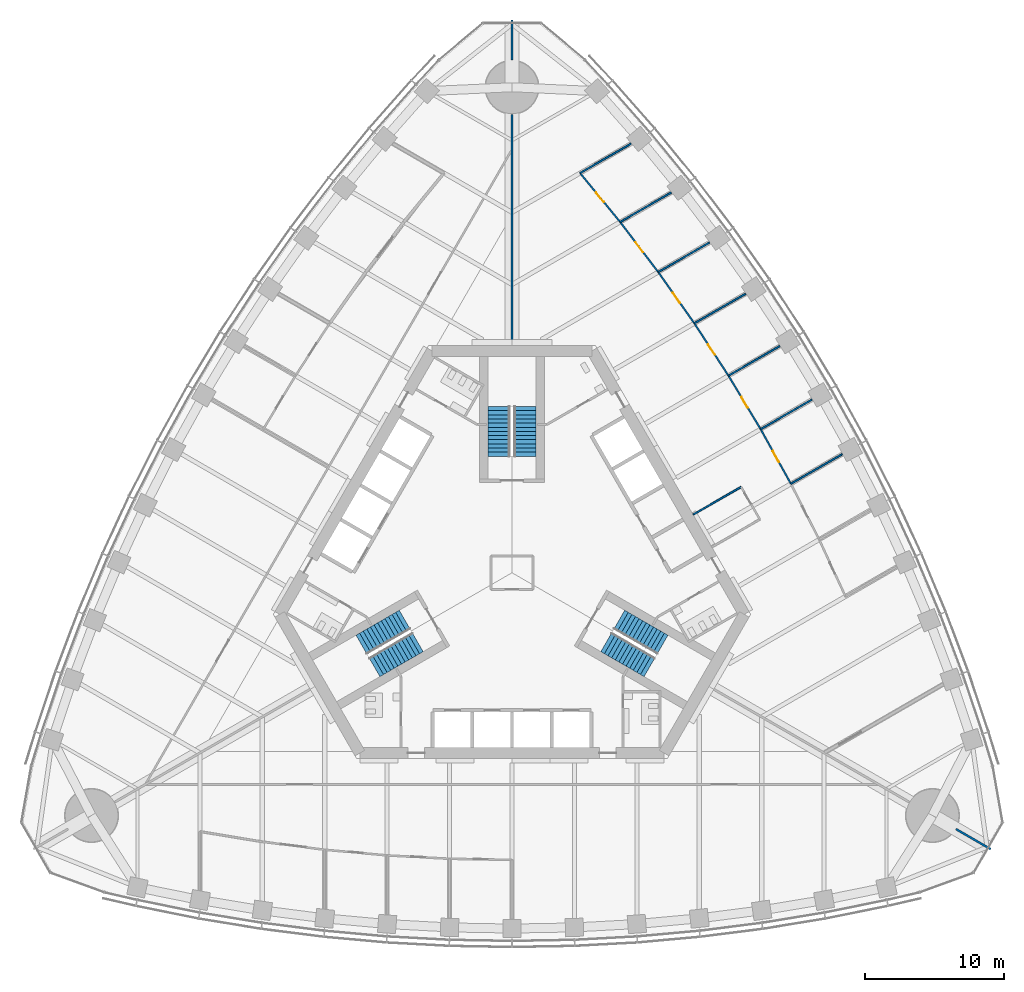
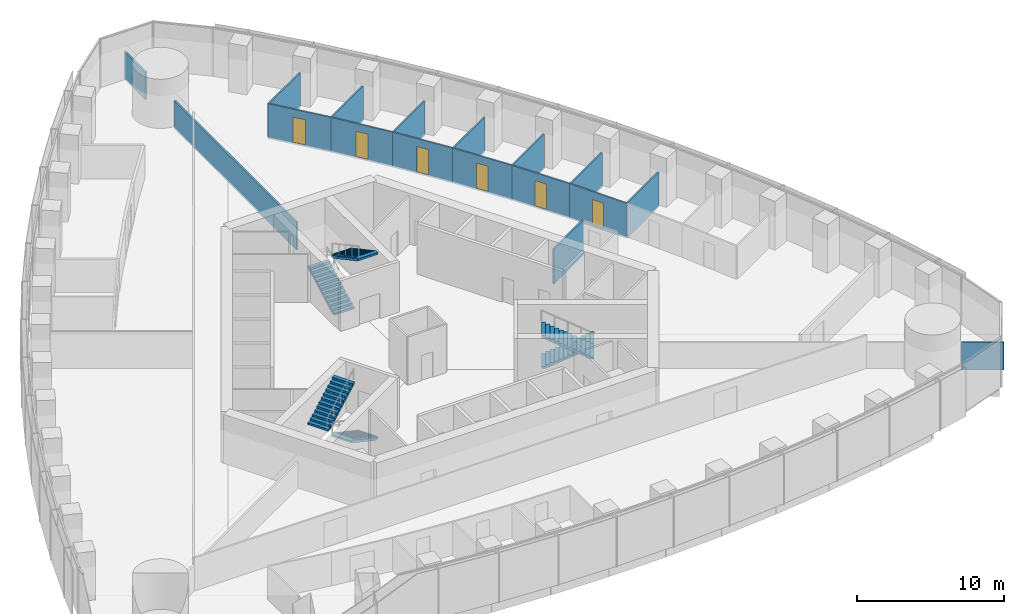
# One storey, part 14 of 19: 17 walls, 6 doors, 6 stair flights, 6 openings, 3 elements without a shape of their own.
"""IFC4 building model written with IfcOpenShell, lengths in metres."""

from ifc_helpers import new_model, si_unit, direction, frame, frame_2d, origin, place, context, subcontext, project, spatial, polyline, rectangle, outline, extrude, material, layer, layer_set, type_object, element, fill, aggregate, save


model = new_model("IFC4")

# Units and contexts
model_context = context("Model", 3, precision=1e-05, world=origin(), true_north=direction((0.0, 1.0)))
body_context = subcontext(model_context, "Body", "Model", "MODEL_VIEW")
ifc_project = project(units=[si_unit("LENGTHUNIT", "METRE"), si_unit("AREAUNIT", "SQUARE_METRE"), si_unit("VOLUMEUNIT", "CUBIC_METRE"), si_unit("PLANEANGLEUNIT", "RADIAN"), si_unit("MASSUNIT", "GRAM", prefix="KILO")], contexts=[model_context])

# Site, building, storey
site_placement = place(None, origin())
site = spatial("IfcSite", under=ifc_project, at=site_placement, CompositionType="ELEMENT")
building_placement = place(site_placement, origin())
building = spatial("IfcBuilding", under=site, at=building_placement, Name="Trefoil Bronze Tower", CompositionType="ELEMENT")
storey_placement = place(building_placement, frame((0.0, 0.0, 136.699951171875)))
storey = spatial("IfcBuildingStorey", under=building, at=storey_placement, Name="L31", CompositionType="ELEMENT", Elevation=136.699951171875)

# Wall
ifc_material_1 = material(Name="Glazed partition", Category="glass")
ifc_layer_1 = layer(ifc_material_1, 0.1201171875)
ifc_layer_set_1 = layer_set([ifc_layer_1], Name="Glazed partition 120")
wall_type_1 = type_object("IfcWallType", Name="Glazed partition 120", PredefinedType="PARTITIONING", material=ifc_layer_set_1)
wall_1_placement = place(storey_placement, frame((13.0546875, 4.1884765625, 0.0), z_axis=(0.0, 0.0, 1.0), x_axis=(0.866026010844, 0.49999894854, 0.0)))
element("IfcWall", 1, at=wall_1_placement, inside=storey, type_object=wall_type_1, Name="Partition F2 L31", PredefinedType="PARTITIONING", context=body_context, shape_type="SweptSolid", body=[
    extrude(rectangle(XDim=4.0, YDim=0.1201171875, at=frame_2d((2.0, 0.0))), origin(), (0.0, 0.0, 1.0), 2.900146484375),
])

# Wall, opening, door
wall_2_placement = place(storey_placement, frame((17.926513671875, 10.349853515625, 0.0), z_axis=(0.0, 0.0, 1.0), x_axis=(-0.515548366618, 0.856860479703, 0.0)))
wall_2 = element("IfcWall", 2, at=wall_2_placement, inside=storey, type_object=wall_type_1, Name="Partition F2 L31", PredefinedType="PARTITIONING", context=body_context, shape_type="SweptSolid", body=[
    extrude(rectangle(XDim=4.500732421875, YDim=0.1201171875, at=frame_2d((2.25048828125, 0.0))), origin(), (0.0, 0.0, 1.0), 2.900146484375),
])
opening_1_placement = place(wall_2_placement, frame((1.800048828125, 0.0, 0.14990234375)))
opening_1 = element("IfcOpeningElement", 3, at=opening_1_placement, cuts=wall_2, Name="Opening D8", PredefinedType="OPENING", context=body_context, shape_type="SweptSolid", body=[
    extrude(rectangle(XDim=0.89990234375, YDim=2.10009765625, at=frame_2d((0.449951171875, 1.050048828125))), frame((0.0, 0.070068359375, 0.0), z_axis=(0.0, -1.0, 0.0), x_axis=(1.0, 0.0, 0.0)), (0.0, 0.0, 1.0), 0.14013671875),
])
ifc_material_2 = material(Name="Timber door", Category="wood")
door_type = type_object("IfcDoorType", Name="Office door 900", OperationType="SINGLE_SWING_LEFT", PredefinedType="DOOR", material=ifc_material_2)
door_1_placement = place(opening_1_placement, frame((0.89990234375, 0.0, 0.0), z_axis=(0.0, 0.0, 1.0), x_axis=(-1.0, 0.0, 0.0)))
door_1 = element("IfcDoor", 4, at=door_1_placement, inside=storey, type_object=door_type, Name="Office door F2 L31", OperationType="SINGLE_SWING_RIGHT", OverallHeight=2.10009765625, OverallWidth=0.89990234375, PredefinedType="DOOR", context=body_context, shape_type="SweptSolid", body=[
    extrude(rectangle(XDim=0.89990234375, YDim=2.10009765625, at=frame_2d((0.449951171875, 1.050048828125))), frame((0.0, 0.02490234375, 0.0), z_axis=(0.0, -1.0, 0.0), x_axis=(1.0, 0.0, 0.0)), (0.0, 0.0, 1.0), 0.050048828125),
])
fill(opening_1, door_1)

wall_3_placement = place(storey_placement, frame((10.542724609375, 21.67529296875, 0.0), z_axis=(0.0, 0.0, 1.0), x_axis=(-0.605274299339, 0.796016973789, 0.0)))
wall_3 = element("IfcWall", 5, at=wall_3_placement, inside=storey, type_object=wall_type_1, Name="Partition F2 L31", PredefinedType="PARTITIONING", context=body_context, shape_type="SweptSolid", body=[
    extrude(rectangle(XDim=4.5361328125, YDim=0.1201171875, at=frame_2d((2.26806640625, 0.0))), origin(), (0.0, 0.0, 1.0), 2.900146484375),
])
opening_2_placement = place(wall_3_placement, frame((1.800048828125, 0.0, 0.14990234375)))
opening_2 = element("IfcOpeningElement", 6, at=opening_2_placement, cuts=wall_3, Name="Opening D8", PredefinedType="OPENING", context=body_context, shape_type="SweptSolid", body=[
    extrude(rectangle(XDim=0.89990234375, YDim=2.10009765625, at=frame_2d((0.449951171875, 1.050048828125))), frame((0.0, 0.070068359375, 0.0), z_axis=(0.0, -1.0, 0.0), x_axis=(1.0, 0.0, 0.0)), (0.0, 0.0, 1.0), 0.14013671875),
])
door_2_placement = place(opening_2_placement, frame((0.89990234375, 0.0, 0.0), z_axis=(0.0, 0.0, 1.0), x_axis=(-1.0, 0.0, 0.0)))
door_2 = element("IfcDoor", 7, at=door_2_placement, inside=storey, type_object=door_type, Name="Office door F2 L31", OperationType="SINGLE_SWING_RIGHT", OverallHeight=2.10009765625, OverallWidth=0.89990234375, PredefinedType="DOOR", context=body_context, shape_type="SweptSolid", body=[
    extrude(rectangle(XDim=0.89990234375, YDim=2.10009765625, at=frame_2d((0.449951171875, 1.050048828125))), frame((0.0, 0.02490234375, 0.0), z_axis=(0.0, -1.0, 0.0), x_axis=(1.0, 0.0, 0.0)), (0.0, 0.0, 1.0), 0.050048828125),
])
fill(opening_2, door_2)

wall_4_placement = place(storey_placement, frame((7.797119140625, 25.2861328125, 0.0), z_axis=(0.0, 0.0, 1.0), x_axis=(-0.633843962561, 0.773460943503, 0.0)))
wall_4 = element("IfcWall", 8, at=wall_4_placement, inside=storey, type_object=wall_type_1, Name="Partition F2 L31", PredefinedType="PARTITIONING", context=body_context, shape_type="SweptSolid", body=[
    extrude(rectangle(XDim=4.560546875, YDim=0.1201171875, at=frame_2d((2.2802734375, 0.0))), origin(), (0.0, 0.0, 1.0), 2.900146484375),
])
opening_3_placement = place(wall_4_placement, frame((1.85009765625, 0.0, 0.14990234375)))
opening_3 = element("IfcOpeningElement", 9, at=opening_3_placement, cuts=wall_4, Name="Opening D8", PredefinedType="OPENING", context=body_context, shape_type="SweptSolid", body=[
    extrude(rectangle(XDim=0.89990234375, YDim=2.10009765625, at=frame_2d((0.449951171875, 1.050048828125))), frame((0.0, 0.070068359375, 0.0), z_axis=(0.0, -1.0, 0.0), x_axis=(1.0, 0.0, 0.0)), (0.0, 0.0, 1.0), 0.14013671875),
])
door_3_placement = place(opening_3_placement, frame((0.89990234375, 0.0, 0.0), z_axis=(0.0, 0.0, 1.0), x_axis=(-1.0, 0.0, 0.0)))
door_3 = element("IfcDoor", 10, at=door_3_placement, inside=storey, type_object=door_type, Name="Office door F2 L31", OperationType="SINGLE_SWING_LEFT", OverallHeight=2.10009765625, OverallWidth=0.89990234375, PredefinedType="DOOR", context=body_context, shape_type="SweptSolid", body=[
    extrude(rectangle(XDim=0.89990234375, YDim=2.10009765625, at=frame_2d((0.449951171875, 1.050048828125))), frame((0.0, 0.02490234375, 0.0), z_axis=(0.0, -1.0, 0.0), x_axis=(1.0, 0.0, 0.0)), (0.0, 0.0, 1.0), 0.050048828125),
])
fill(opening_3, door_3)

wall_5_placement = place(storey_placement, frame((15.606201171875, 14.206298828125, 0.0), z_axis=(0.0, 0.0, 1.0), x_axis=(-0.546069464151, 0.837739900161, 0.0)))
wall_5 = element("IfcWall", 11, at=wall_5_placement, inside=storey, type_object=wall_type_1, Name="Partition F2 L31", PredefinedType="PARTITIONING", context=body_context, shape_type="SweptSolid", body=[
    extrude(rectangle(XDim=4.506591796875, YDim=0.1201171875, at=frame_2d((2.25341796875, 0.0))), origin(), (0.0, 0.0, 1.0), 2.900146484375),
])
opening_4_placement = place(wall_5_placement, frame((1.800048828125, 0.0, 0.14990234375)))
opening_4 = element("IfcOpeningElement", 12, at=opening_4_placement, cuts=wall_5, Name="Opening D8", PredefinedType="OPENING", context=body_context, shape_type="SweptSolid", body=[
    extrude(rectangle(XDim=0.89990234375, YDim=2.10009765625, at=frame_2d((0.449951171875, 1.050048828125))), frame((0.0, 0.070068359375, 0.0), z_axis=(0.0, -1.0, 0.0), x_axis=(1.0, 0.0, 0.0)), (0.0, 0.0, 1.0), 0.14013671875),
])
door_4_placement = place(opening_4_placement, frame((0.89990234375, 0.0, 0.0), z_axis=(0.0, 0.0, 1.0), x_axis=(-1.0, 0.0, 0.0)))
door_4 = element("IfcDoor", 13, at=door_4_placement, inside=storey, type_object=door_type, Name="Office door F2 L31", OperationType="SINGLE_SWING_RIGHT", OverallHeight=2.10009765625, OverallWidth=0.89990234375, PredefinedType="DOOR", context=body_context, shape_type="SweptSolid", body=[
    extrude(rectangle(XDim=0.89990234375, YDim=2.10009765625, at=frame_2d((0.449951171875, 1.050048828125))), frame((0.0, 0.02490234375, 0.0), z_axis=(0.0, -1.0, 0.0), x_axis=(1.0, 0.0, 0.0)), (0.0, 0.0, 1.0), 0.050048828125),
])
fill(opening_4, door_4)

wall_6_placement = place(storey_placement, frame((13.145263671875, 17.981689453125, 0.0), z_axis=(0.0, 0.0, 1.0), x_axis=(-0.575987178736, 0.817458726745, 0.0)))
wall_6 = element("IfcWall", 14, at=wall_6_placement, inside=storey, type_object=wall_type_1, Name="Partition F2 L31", PredefinedType="PARTITIONING", context=body_context, shape_type="SweptSolid", body=[
    extrude(rectangle(XDim=4.518310546875, YDim=0.1201171875, at=frame_2d((2.25927734375, 0.0))), origin(), (0.0, 0.0, 1.0), 2.900146484375),
])
opening_5_placement = place(wall_6_placement, frame((1.800048828125, 0.0, 0.14990234375)))
opening_5 = element("IfcOpeningElement", 15, at=opening_5_placement, cuts=wall_6, Name="Opening D8", PredefinedType="OPENING", context=body_context, shape_type="SweptSolid", body=[
    extrude(rectangle(XDim=0.89990234375, YDim=2.10009765625, at=frame_2d((0.449951171875, 1.050048828125))), frame((0.0, 0.070068359375, 0.0), z_axis=(0.0, -1.0, 0.0), x_axis=(1.0, 0.0, 0.0)), (0.0, 0.0, 1.0), 0.14013671875),
])
door_5_placement = place(opening_5_placement, frame((0.89990234375, 0.0, 0.0), z_axis=(0.0, 0.0, 1.0), x_axis=(-1.0, 0.0, 0.0)))
door_5 = element("IfcDoor", 16, at=door_5_placement, inside=storey, type_object=door_type, Name="Office door F2 L31", OperationType="SINGLE_SWING_RIGHT", OverallHeight=2.10009765625, OverallWidth=0.89990234375, PredefinedType="DOOR", context=body_context, shape_type="SweptSolid", body=[
    extrude(rectangle(XDim=0.89990234375, YDim=2.10009765625, at=frame_2d((0.449951171875, 1.050048828125))), frame((0.0, 0.02490234375, 0.0), z_axis=(0.0, -1.0, 0.0), x_axis=(1.0, 0.0, 0.0)), (0.0, 0.0, 1.0), 0.050048828125),
])
fill(opening_5, door_5)

wall_7_placement = place(storey_placement, frame((20.106201171875, 6.412109375, 0.0), z_axis=(0.0, 0.0, 1.0), x_axis=(-0.484292898211, 0.874905931368, 0.0)))
wall_7 = element("IfcWall", 17, at=wall_7_placement, inside=storey, type_object=wall_type_1, Name="Partition F2 L31", PredefinedType="PARTITIONING", context=body_context, shape_type="SweptSolid", body=[
    extrude(rectangle(XDim=4.500732421875, YDim=0.1201171875, at=frame_2d((2.25048828125, 0.0))), origin(), (0.0, 0.0, 1.0), 2.900146484375),
])
opening_6_placement = place(wall_7_placement, frame((1.800048828125, 0.0, 0.14990234375)))
opening_6 = element("IfcOpeningElement", 18, at=opening_6_placement, cuts=wall_7, Name="Opening D8", PredefinedType="OPENING", context=body_context, shape_type="SweptSolid", body=[
    extrude(rectangle(XDim=0.89990234375, YDim=2.10009765625, at=frame_2d((0.449951171875, 1.050048828125))), frame((0.0, 0.070068359375, 0.0), z_axis=(0.0, -1.0, 0.0), x_axis=(1.0, 0.0, 0.0)), (0.0, 0.0, 1.0), 0.14013671875),
])
door_6_placement = place(opening_6_placement, frame((0.89990234375, 0.0, 0.0), z_axis=(0.0, 0.0, 1.0), x_axis=(-1.0, 0.0, 0.0)))
door_6 = element("IfcDoor", 19, at=door_6_placement, inside=storey, type_object=door_type, Name="Office door F2 L31", OperationType="SINGLE_SWING_RIGHT", OverallHeight=2.10009765625, OverallWidth=0.89990234375, PredefinedType="DOOR", context=body_context, shape_type="SweptSolid", body=[
    extrude(rectangle(XDim=0.89990234375, YDim=2.10009765625, at=frame_2d((0.449951171875, 1.050048828125))), frame((0.0, 0.02490234375, 0.0), z_axis=(0.0, -1.0, 0.0), x_axis=(1.0, 0.0, 0.0)), (0.0, 0.0, 1.0), 0.050048828125),
])
fill(opening_6, door_6)

# Walls
wall_8_placement = place(storey_placement, frame((17.926513671875, 10.349853515625, 0.0), z_axis=(0.0, 0.0, 1.0), x_axis=(0.866014192265, 0.500019418418, 0.0)))
element("IfcWall", 20, at=wall_8_placement, inside=storey, type_object=wall_type_1, Name="Partition F2 L31", PredefinedType="PARTITIONING", context=body_context, shape_type="SweptSolid", body=[
    extrude(rectangle(XDim=4.269775390625, YDim=0.1201171875, at=frame_2d((2.134765625, 0.0))), origin(), (0.0, 0.0, 1.0), 2.900146484375),
])
wall_9_placement = place(storey_placement, frame((10.542724609375, 21.67529296875, 0.0), z_axis=(0.0, 0.0, 1.0), x_axis=(0.866031027007, 0.499990260167, 0.0)))
element("IfcWall", 21, at=wall_9_placement, inside=storey, type_object=wall_type_1, Name="Partition F2 L31", PredefinedType="PARTITIONING", context=body_context, shape_type="SweptSolid", body=[
    extrude(rectangle(XDim=4.26123046875, YDim=0.1201171875, at=frame_2d((2.130615234375, 0.0))), origin(), (0.0, 0.0, 1.0), 2.900146484375),
])
wall_10_placement = place(storey_placement, frame((7.797119140625, 25.2861328125, 0.0), z_axis=(0.0, 0.0, 1.0), x_axis=(0.865995408045, 0.500051950547, 0.0)))
element("IfcWall", 22, at=wall_10_placement, inside=storey, type_object=wall_type_1, Name="Partition F2 L31", PredefinedType="PARTITIONING", context=body_context, shape_type="SweptSolid", body=[
    extrude(rectangle(XDim=4.25439453125, YDim=0.1201171875, at=frame_2d((2.127197265625, 0.0))), origin(), (0.0, 0.0, 1.0), 2.900146484375),
])
wall_11_placement = place(storey_placement, frame((4.906494140625, 28.8134765625, 0.0), z_axis=(0.0, 0.0, 1.0), x_axis=(0.866022790583, 0.50000452617, 0.0)))
element("IfcWall", 23, at=wall_11_placement, inside=storey, type_object=wall_type_1, Name="Partition F2 L31", PredefinedType="PARTITIONING", context=body_context, shape_type="SweptSolid", body=[
    extrude(rectangle(XDim=4.24560546875, YDim=0.1201171875, at=frame_2d((2.122802734375, 0.0))), origin(), (0.0, 0.0, 1.0), 2.900146484375),
])
wall_12_placement = place(storey_placement, frame((15.606201171875, 14.206298828125, 0.0), z_axis=(0.0, 0.0, 1.0), x_axis=(0.866020825576, 0.500007929605, 0.0)))
element("IfcWall", 24, at=wall_12_placement, inside=storey, type_object=wall_type_1, Name="Partition F2 L31", PredefinedType="PARTITIONING", context=body_context, shape_type="SweptSolid", body=[
    extrude(rectangle(XDim=4.26904296875, YDim=0.1201171875, at=frame_2d((2.134521484375, 0.0))), origin(), (0.0, 0.0, 1.0), 2.900146484375),
])
wall_13_placement = place(storey_placement, frame((13.145263671875, 17.981689453125, 0.0), z_axis=(0.0, 0.0, 1.0), x_axis=(0.86602643523, 0.49999821348, 0.0)))
element("IfcWall", 25, at=wall_13_placement, inside=storey, type_object=wall_type_1, Name="Partition F2 L31", PredefinedType="PARTITIONING", context=body_context, shape_type="SweptSolid", body=[
    extrude(rectangle(XDim=4.26611328125, YDim=0.1201171875, at=frame_2d((2.133056640625, 0.0))), origin(), (0.0, 0.0, 1.0), 2.900146484375),
])
wall_14_placement = place(storey_placement, frame((20.106201171875, 6.412109375, 0.0), z_axis=(0.0, 0.0, 1.0), x_axis=(0.866020825576, 0.500007929605, 0.0)))
element("IfcWall", 26, at=wall_14_placement, inside=storey, type_object=wall_type_1, Name="Partition F2 L31", PredefinedType="PARTITIONING", context=body_context, shape_type="SweptSolid", body=[
    extrude(rectangle(XDim=4.26904296875, YDim=0.1201171875, at=frame_2d((2.134521484375, 0.0))), origin(), (0.0, 0.0, 1.0), 2.900146484375),
])
ifc_material_3 = material(Name="Gypsum board on steel studs", Category="steel")
ifc_layer_2 = layer(ifc_material_3, 0.14990234375)
ifc_layer_set_2 = layer_set([ifc_layer_2], Name="Party wall 150")
wall_type_2 = type_object("IfcWallType", Name="Party wall 150", PredefinedType="PARTITIONING", material=ifc_layer_set_2)
wall_15_placement = place(storey_placement, frame((31.999755859375, -18.47509765625, 0.0), z_axis=(0.0, 0.0, 1.0), x_axis=(0.866042548026, -0.499970304126, 0.0)))
element("IfcWall", 27, at=wall_15_placement, inside=storey, type_object=wall_type_2, Name="Party wall K1 L31", PredefinedType="PARTITIONING", context=body_context, shape_type="SweptSolid", body=[
    extrude(rectangle(XDim=2.899169921875, YDim=0.14990234375, at=frame_2d((1.44970703125, 0.0))), origin(), (0.0, 0.0, 1.0), 2.300048828125),
])
wall_16_placement = place(storey_placement, frame((0.0, 16.39990234375, 0.0), z_axis=(0.0, 0.0, 1.0), x_axis=(0.0, 1.0, 0.0)))
element("IfcWall", 28, at=wall_16_placement, inside=storey, type_object=wall_type_2, Name="Party wall K2 L31", PredefinedType="PARTITIONING", context=body_context, shape_type="SweptSolid", body=[
    extrude(rectangle(XDim=16.650146484375, YDim=0.14990234375, at=frame_2d((8.3251953125, 0.0))), origin(), (0.0, 0.0, 1.0), 2.300048828125),
])
wall_17_placement = place(storey_placement, frame((0.0, 36.949951171875, 0.0), z_axis=(0.0, 0.0, 1.0), x_axis=(0.0, 1.0, 0.0)))
element("IfcWall", 29, at=wall_17_placement, inside=storey, type_object=wall_type_2, Name="Party wall K2 L31", PredefinedType="PARTITIONING", context=body_context, shape_type="SweptSolid", body=[
    extrude(rectangle(XDim=2.8994140625, YDim=0.14990234375, at=frame_2d((1.44970703125, 0.0))), origin(), (0.0, 0.0, 1.0), 2.300048828125),
])

# Stair, stair flights
ifc_material_4 = material(Name="Precast concrete B80", Category="concrete")
stair_type = type_object("IfcStairType", Name="Exit stair 26 risers", PredefinedType="HALF_TURN_STAIR", material=ifc_material_4)
stair_1_placement = place(storey_placement, origin())
stair_1 = element("IfcStair", 30, at=stair_1_placement, inside=storey, type_object=stair_type, Name="Stair ST1 L31", PredefinedType="HALF_TURN_STAIR")
ifc_material_5 = material(Name="Precast concrete B80", Category="concrete")
stair_flight_type = type_object("IfcStairFlightType", Name="Stair flight 1600", PredefinedType="STRAIGHT", material=ifc_material_5)
stair_flight_1_placement = place(storey_placement, frame((7.728515625, -3.39404296875, 0.0), z_axis=(0.0, 0.0, 1.0), x_axis=(0.866025403784, -0.5, 0.0)))
stair_flight_1 = element("IfcStairFlight", 31, at=stair_flight_1_placement, type_object=stair_flight_type, Name="ST1 flight 1", NumberOfRisers=13, NumberOfTreads=12, PredefinedType="STRAIGHT", RiserHeight=0.161538462, TreadLength=0.3, context=body_context, shape_type="SweptSolid", body=[
    extrude(outline(polyline([(0.0, 0.0), (0.0, 0.16162109375), (0.300048828125, 0.16162109375), (0.300048828125, 0.322998046875), (0.60009765625, 0.322998046875), (0.60009765625, 0.484619140625), (0.89990234375, 0.484619140625), (0.89990234375, 0.646240234375), (1.199951171875, 0.646240234375), (1.199951171875, 0.8076171875), (1.5, 0.8076171875), (1.5, 0.96923828125), (1.800048828125, 0.96923828125), (1.800048828125, 1.130859375), (2.10009765625, 1.130859375), (2.10009765625, 1.292236328125), (2.39990234375, 1.292236328125), (2.39990234375, 1.453857421875), (2.699951171875, 1.453857421875), (2.699951171875, 1.615478515625), (3.0, 1.615478515625), (3.0, 1.77685546875), (3.300048828125, 1.77685546875), (3.300048828125, 1.9384765625), (3.60009765625, 1.9384765625), (3.60009765625, 2.10009765625), (3.60009765625, 1.768310546875), (0.316162109375, 0.0), (0.0, 0.0)])), frame((0.0, 0.800048828125, 0.0), z_axis=(0.0, -1.0, 0.0), x_axis=(1.0, 0.0, 0.0)), (0.0, 0.0, 1.0), 1.60009765625),
])
stair_flight_2_placement = place(storey_placement, frame((9.921142578125, -6.796142578125, 2.10009765625), z_axis=(0.0, 0.0, 1.0), x_axis=(-0.866025403784, 0.5, 0.0)))
stair_flight_2 = element("IfcStairFlight", 32, at=stair_flight_2_placement, type_object=stair_flight_type, Name="ST1 flight 2", NumberOfRisers=13, NumberOfTreads=12, PredefinedType="STRAIGHT", RiserHeight=0.161538462, TreadLength=0.3, context=body_context, shape_type="SweptSolid", body=[
    extrude(outline(polyline([(0.0, 0.0), (0.0, 0.16162109375), (0.300048828125, 0.16162109375), (0.300048828125, 0.322998046875), (0.60009765625, 0.322998046875), (0.60009765625, 0.484619140625), (0.89990234375, 0.484619140625), (0.89990234375, 0.646240234375), (1.199951171875, 0.646240234375), (1.199951171875, 0.8076171875), (1.5, 0.8076171875), (1.5, 0.96923828125), (1.800048828125, 0.96923828125), (1.800048828125, 1.130859375), (2.10009765625, 1.130859375), (2.10009765625, 1.292236328125), (2.39990234375, 1.292236328125), (2.39990234375, 1.453857421875), (2.699951171875, 1.453857421875), (2.699951171875, 1.615478515625), (3.0, 1.615478515625), (3.0, 1.77685546875), (3.300048828125, 1.77685546875), (3.300048828125, 1.9384765625), (3.60009765625, 1.9384765625), (3.60009765625, 2.10009765625), (3.60009765625, 1.768310546875), (0.316162109375, 0.0), (0.0, 0.0)])), frame((0.0, 0.800048828125, 0.0), z_axis=(0.0, -1.0, 0.0), x_axis=(1.0, 0.0, 0.0)), (0.0, 0.0, 1.0), 1.60009765625),
])
aggregate(stair_1, [stair_flight_1, stair_flight_2])

stair_2_placement = place(storey_placement, origin())
stair_2 = element("IfcStair", 33, at=stair_2_placement, inside=storey, type_object=stair_type, Name="Stair ST2 L31", PredefinedType="HALF_TURN_STAIR")
stair_flight_3_placement = place(storey_placement, frame((-0.925048828125, 8.389892578125, 0.0), z_axis=(0.0, 0.0, 1.0), x_axis=(0.0, 1.0, 0.0)))
stair_flight_3 = element("IfcStairFlight", 34, at=stair_flight_3_placement, type_object=stair_flight_type, Name="ST2 flight 1", NumberOfRisers=13, NumberOfTreads=12, PredefinedType="STRAIGHT", RiserHeight=0.161538462, TreadLength=0.3, context=body_context, shape_type="SweptSolid", body=[
    extrude(outline(polyline([(0.0, 0.0), (0.0, 0.16162109375), (0.300048828125, 0.16162109375), (0.300048828125, 0.322998046875), (0.60009765625, 0.322998046875), (0.60009765625, 0.484619140625), (0.89990234375, 0.484619140625), (0.89990234375, 0.646240234375), (1.199951171875, 0.646240234375), (1.199951171875, 0.8076171875), (1.5, 0.8076171875), (1.5, 0.96923828125), (1.800048828125, 0.96923828125), (1.800048828125, 1.130859375), (2.10009765625, 1.130859375), (2.10009765625, 1.292236328125), (2.39990234375, 1.292236328125), (2.39990234375, 1.453857421875), (2.699951171875, 1.453857421875), (2.699951171875, 1.615478515625), (3.0, 1.615478515625), (3.0, 1.77685546875), (3.300048828125, 1.77685546875), (3.300048828125, 1.9384765625), (3.60009765625, 1.9384765625), (3.60009765625, 2.10009765625), (3.60009765625, 1.768310546875), (0.316162109375, 0.0), (0.0, 0.0)])), frame((0.0, 0.800048828125, 0.0), z_axis=(0.0, -1.0, 0.0), x_axis=(1.0, 0.0, 0.0)), (0.0, 0.0, 1.0), 1.60009765625),
])
stair_flight_4_placement = place(storey_placement, frame((0.925048828125, 11.989990234375, 2.10009765625), z_axis=(0.0, 0.0, 1.0), x_axis=(0.0, -1.0, 0.0)))
stair_flight_4 = element("IfcStairFlight", 35, at=stair_flight_4_placement, type_object=stair_flight_type, Name="ST2 flight 2", NumberOfRisers=13, NumberOfTreads=12, PredefinedType="STRAIGHT", RiserHeight=0.161538462, TreadLength=0.3, context=body_context, shape_type="SweptSolid", body=[
    extrude(outline(polyline([(0.0, 0.0), (0.0, 0.16162109375), (0.300048828125, 0.16162109375), (0.300048828125, 0.322998046875), (0.60009765625, 0.322998046875), (0.60009765625, 0.484619140625), (0.89990234375, 0.484619140625), (0.89990234375, 0.646240234375), (1.199951171875, 0.646240234375), (1.199951171875, 0.8076171875), (1.5, 0.8076171875), (1.5, 0.96923828125), (1.800048828125, 0.96923828125), (1.800048828125, 1.130859375), (2.10009765625, 1.130859375), (2.10009765625, 1.292236328125), (2.39990234375, 1.292236328125), (2.39990234375, 1.453857421875), (2.699951171875, 1.453857421875), (2.699951171875, 1.615478515625), (3.0, 1.615478515625), (3.0, 1.77685546875), (3.300048828125, 1.77685546875), (3.300048828125, 1.9384765625), (3.60009765625, 1.9384765625), (3.60009765625, 2.10009765625), (3.60009765625, 1.768310546875), (0.316162109375, 0.0), (0.0, 0.0)])), frame((0.0, 0.800048828125, 0.0), z_axis=(0.0, -1.0, 0.0), x_axis=(1.0, 0.0, 0.0)), (0.0, 0.0, 1.0), 1.60009765625),
])
aggregate(stair_2, [stair_flight_3, stair_flight_4])

stair_3_placement = place(storey_placement, origin())
stair_3 = element("IfcStair", 36, at=stair_3_placement, inside=storey, type_object=stair_type, Name="Stair ST3 L31", PredefinedType="HALF_TURN_STAIR")
stair_flight_5_placement = place(storey_placement, frame((-6.803466796875, -4.99609375, 0.0), z_axis=(0.0, 0.0, 1.0), x_axis=(-0.866025403784, -0.5, 0.0)))
stair_flight_5 = element("IfcStairFlight", 37, at=stair_flight_5_placement, type_object=stair_flight_type, Name="ST3 flight 1", NumberOfRisers=13, NumberOfTreads=12, PredefinedType="STRAIGHT", RiserHeight=0.161538462, TreadLength=0.3, context=body_context, shape_type="SweptSolid", body=[
    extrude(outline(polyline([(0.0, 0.0), (0.0, 0.16162109375), (0.300048828125, 0.16162109375), (0.300048828125, 0.322998046875), (0.60009765625, 0.322998046875), (0.60009765625, 0.484619140625), (0.89990234375, 0.484619140625), (0.89990234375, 0.646240234375), (1.199951171875, 0.646240234375), (1.199951171875, 0.8076171875), (1.5, 0.8076171875), (1.5, 0.96923828125), (1.800048828125, 0.96923828125), (1.800048828125, 1.130859375), (2.10009765625, 1.130859375), (2.10009765625, 1.292236328125), (2.39990234375, 1.292236328125), (2.39990234375, 1.453857421875), (2.699951171875, 1.453857421875), (2.699951171875, 1.615478515625), (3.0, 1.615478515625), (3.0, 1.77685546875), (3.300048828125, 1.77685546875), (3.300048828125, 1.9384765625), (3.60009765625, 1.9384765625), (3.60009765625, 2.10009765625), (3.60009765625, 1.768310546875), (0.316162109375, 0.0), (0.0, 0.0)])), frame((0.0, 0.800048828125, 0.0), z_axis=(0.0, -1.0, 0.0), x_axis=(1.0, 0.0, 0.0)), (0.0, 0.0, 1.0), 1.60009765625),
])
stair_flight_6_placement = place(storey_placement, frame((-10.84619140625, -5.19384765625, 2.10009765625), z_axis=(0.0, 0.0, 1.0), x_axis=(0.866025403784, 0.5, 0.0)))
stair_flight_6 = element("IfcStairFlight", 38, at=stair_flight_6_placement, type_object=stair_flight_type, Name="ST3 flight 2", NumberOfRisers=13, NumberOfTreads=12, PredefinedType="STRAIGHT", RiserHeight=0.161538462, TreadLength=0.3, context=body_context, shape_type="SweptSolid", body=[
    extrude(outline(polyline([(0.0, 0.0), (0.0, 0.16162109375), (0.300048828125, 0.16162109375), (0.300048828125, 0.322998046875), (0.60009765625, 0.322998046875), (0.60009765625, 0.484619140625), (0.89990234375, 0.484619140625), (0.89990234375, 0.646240234375), (1.199951171875, 0.646240234375), (1.199951171875, 0.8076171875), (1.5, 0.8076171875), (1.5, 0.96923828125), (1.800048828125, 0.96923828125), (1.800048828125, 1.130859375), (2.10009765625, 1.130859375), (2.10009765625, 1.292236328125), (2.39990234375, 1.292236328125), (2.39990234375, 1.453857421875), (2.699951171875, 1.453857421875), (2.699951171875, 1.615478515625), (3.0, 1.615478515625), (3.0, 1.77685546875), (3.300048828125, 1.77685546875), (3.300048828125, 1.9384765625), (3.60009765625, 1.9384765625), (3.60009765625, 2.10009765625), (3.60009765625, 1.768310546875), (0.316162109375, 0.0), (0.0, 0.0)])), frame((0.0, 0.800048828125, 0.0), z_axis=(0.0, -1.0, 0.0), x_axis=(1.0, 0.0, 0.0)), (0.0, 0.0, 1.0), 1.60009765625),
])
aggregate(stair_3, [stair_flight_5, stair_flight_6])

save(model, "model.ifc")
